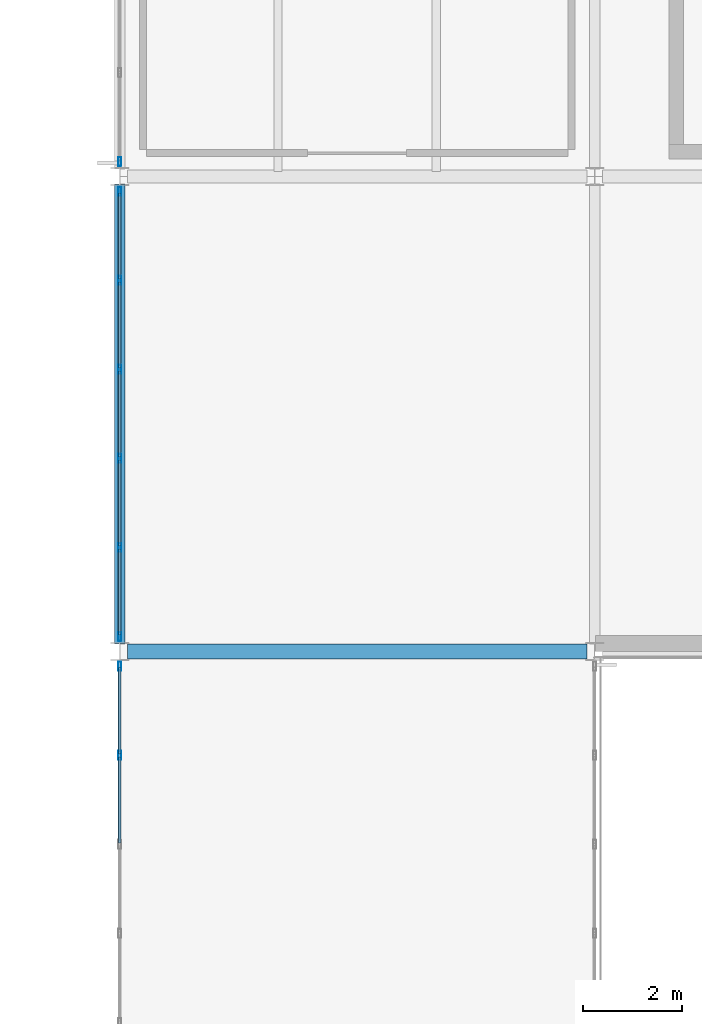
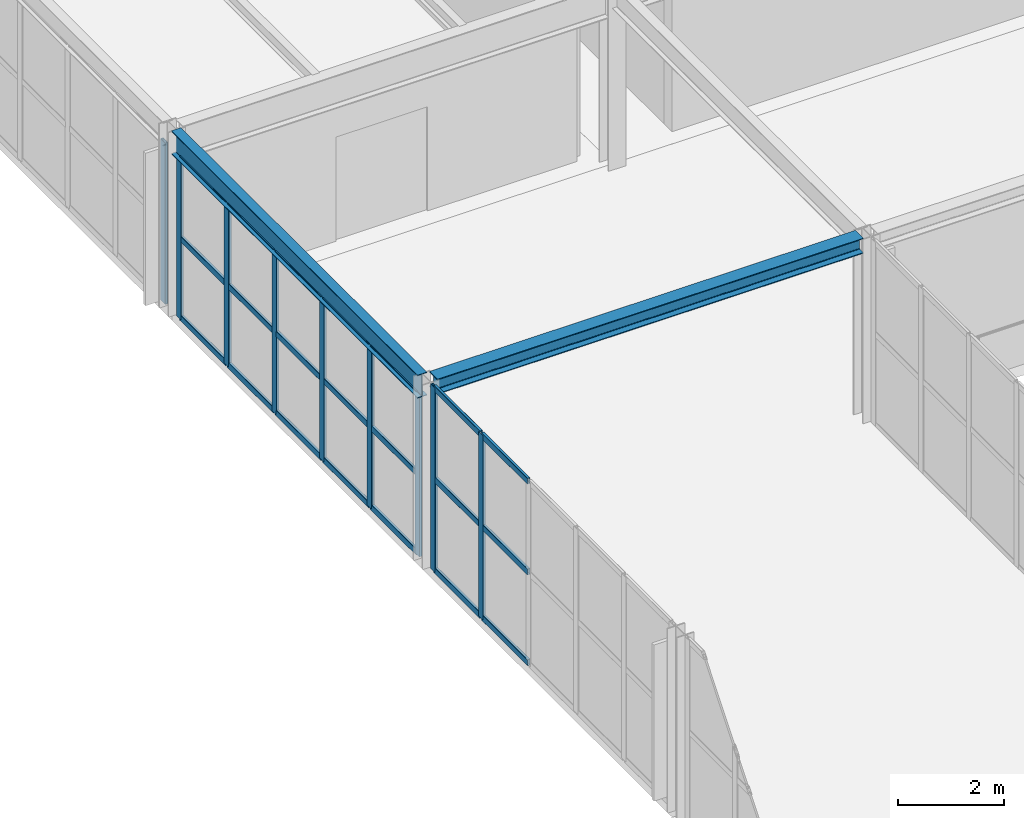
# One storey, part 81 of 170: 30 members, 2 beams, 3 elements without a shape of their own.
"""IFC4 building model written with IfcOpenShell, lengths in metres."""

from ifc_helpers import new_model, si_unit, direction, frame, origin, origin_2d, place, context, subcontext, project, spatial, hollow_rectangle, i_section, extrude, material, material_profile, profile_set, type_object, element, aggregate, save


model = new_model("IFC4")

# Units and contexts
model_context = context("Model", 3, precision=1e-05, world=origin(), true_north=direction((0.0, 1.0)))
body_context = subcontext(model_context, "Body", "Model", "MODEL_VIEW")
ifc_project = project(units=[si_unit("LENGTHUNIT", "METRE"), si_unit("AREAUNIT", "SQUARE_METRE"), si_unit("VOLUMEUNIT", "CUBIC_METRE"), si_unit("PLANEANGLEUNIT", "RADIAN"), si_unit("MASSUNIT", "GRAM", prefix="KILO")], contexts=[model_context])

# Site, building, storey
site_placement = place(None, origin())
site = spatial("IfcSite", under=ifc_project, at=site_placement, CompositionType="ELEMENT")
building_placement = place(site_placement, origin())
building = spatial("IfcBuilding", under=site, at=building_placement, Name="Coralgate Yard Interchange", CompositionType="ELEMENT")
storey_placement = place(building_placement, frame((0.0, 0.0, 6.0)))
storey = spatial("IfcBuildingStorey", under=building, at=storey_placement, Name="L01", CompositionType="ELEMENT", Elevation=6.0)

# Beams
ifc_material_1 = material(Name="Structural steel S355J2", Category="steel")
ifc_material_profile_1 = material_profile(ifc_material_1, i_section(OverallWidth=0.209228515625, OverallDepth=0.533203125, WebThickness=0.010009765625, FlangeThickness=0.015625, FilletRadius=0.0126953125, at=origin_2d()), Name="UB 533x210x92")
ifc_profile_set_1 = profile_set([ifc_material_profile_1], Name="Structural steel S355J2")
beam_type_1 = type_object("IfcBeamType", Name="BM-SB-1", PredefinedType="BEAM", material=ifc_profile_set_1)
beam_1_placement = place(storey_placement, frame((38.39990234375, 67.35400390625, 3.9833984375), z_axis=(0.0, 1.0, 0.0), x_axis=(-1.0, 0.0, 0.0)))
element("IfcBeam", 1, at=beam_1_placement, inside=storey, type_object=beam_type_1, Name="L01 primary grid girder X4 Y7-8", PredefinedType="BEAM", context=body_context, shape_type="SweptSolid", body=[
    extrude(i_section(OverallWidth=0.209228515625, OverallDepth=0.533203125, WebThickness=0.010009765625, FlangeThickness=0.015625, FilletRadius=0.0126953125, at=origin_2d()), origin(), (0.0, 0.0, 1.0), 9.2919921875),
])
ifc_material_profile_2 = material_profile(ifc_material_1, i_section(OverallWidth=0.300048828125, OverallDepth=0.35009765625, WebThickness=0.010009765625, FlangeThickness=0.017578125, FilletRadius=0.027099609375, at=origin_2d()), Name="HEA 360")
ifc_profile_set_2 = profile_set([ifc_material_profile_2], Name="Structural steel S355J2")
beam_type_2 = type_object("IfcBeamType", Name="BM-SP-1", PredefinedType="SPANDREL", material=ifc_profile_set_2)
beam_2_placement = place(storey_placement, frame((38.556396484375, 67.199951171875, 4.074951171875), z_axis=(1.0, 0.0, 0.0), x_axis=(0.0, 1.0, 0.0)))
element("IfcBeam", 2, at=beam_2_placement, inside=storey, type_object=beam_type_2, Name="L01 primary grid beam Y7 X4-5", PredefinedType="SPANDREL", context=body_context, shape_type="SweptSolid", body=[
    extrude(i_section(OverallWidth=0.300048828125, OverallDepth=0.35009765625, WebThickness=0.010009765625, FlangeThickness=0.017578125, FilletRadius=0.027099609375, at=origin_2d()), origin(), (0.0, 0.0, 1.0), 9.287353515625),
])

# Curtain wall, members
ifc_material_2 = material(Name="Anodised coastal aluminium and solar-control low-E glass", Category="aluminium")
curtain_wall_type_1 = type_object("IfcCurtainWallType", Name="CW-CW-L01-A", PredefinedType="NOTDEFINED", material=ifc_material_2)
curtain_wall_1_placement = place(storey_placement, origin())
curtain_wall_1 = element("IfcCurtainWall", 3, at=curtain_wall_1_placement, inside=storey, type_object=curtain_wall_type_1, Name="L01 unitised curtain wall CW-L01-W-04-06", PredefinedType="NOTDEFINED")
ifc_material_3 = material(Name="Anodised coastal aluminium 6063-T6", Category="aluminium")
ifc_material_profile_3 = material_profile(ifc_material_3, hollow_rectangle(XDim=0.06005859375, YDim=0.179931640625, WallThickness=0.00390625, InnerFilletRadius=0.00390625, OuterFilletRadius=0.008056640625, at=origin_2d()), Name="ALU 60x180x4")
ifc_profile_set_3 = profile_set([ifc_material_profile_3], Name="Anodised coastal aluminium 6063-T6")
member_type_1 = type_object("IfcMemberType", Name="MB-MUL-180", PredefinedType="MULLION", material=ifc_profile_set_3)
member_1_placement = place(storey_placement, frame((38.39990234375, 65.10009765625, 0.0), z_axis=(0.0, 0.0, 1.0), x_axis=(1.0, 0.0, 0.0)))
member_1 = element("IfcMember", 4, at=member_1_placement, type_object=member_type_1, Name="CW-L01-W-04-06 vertical mullion 5", PredefinedType="MULLION", context=body_context, shape_type="SweptSolid", body=[
    extrude(hollow_rectangle(XDim=0.06005859375, YDim=0.179931640625, WallThickness=0.00390625, InnerFilletRadius=0.00390625, OuterFilletRadius=0.008056640625, at=origin_2d()), origin(), (0.0, 0.0, 1.0), 4.25),
])
member_2_placement = place(storey_placement, frame((38.39990234375, 66.89990234375, 0.0), z_axis=(0.0, 0.0, 1.0), x_axis=(1.0, 0.0, 0.0)))
member_2 = element("IfcMember", 5, at=member_2_placement, type_object=member_type_1, Name="CW-L01-W-04-06 vertical mullion 6", PredefinedType="MULLION", context=body_context, shape_type="SweptSolid", body=[
    extrude(hollow_rectangle(XDim=0.06005859375, YDim=0.179931640625, WallThickness=0.00390625, InnerFilletRadius=0.00390625, OuterFilletRadius=0.008056640625, at=origin_2d()), origin(), (0.0, 0.0, 1.0), 4.25),
])

curtain_wall_2_placement = place(storey_placement, origin())
curtain_wall_2 = element("IfcCurtainWall", 6, at=curtain_wall_2_placement, inside=storey, type_object=curtain_wall_type_1, Name="L01 unitised curtain wall CW-L01-W-04-07", PredefinedType="NOTDEFINED")
member_3_placement = place(storey_placement, frame((38.39990234375, 67.5, 0.0), z_axis=(0.0, 0.0, 1.0), x_axis=(1.0, 0.0, 0.0)))
member_3 = element("IfcMember", 7, at=member_3_placement, type_object=member_type_1, Name="CW-L01-W-04-07 vertical mullion 1", PredefinedType="MULLION", context=body_context, shape_type="SweptSolid", body=[
    extrude(hollow_rectangle(XDim=0.06005859375, YDim=0.179931640625, WallThickness=0.00390625, InnerFilletRadius=0.00390625, OuterFilletRadius=0.008056640625, at=origin_2d()), origin(), (0.0, 0.0, 1.0), 3.716796875),
])
member_4_placement = place(storey_placement, frame((38.39990234375, 69.300048828125, 0.0), z_axis=(0.0, 0.0, 1.0), x_axis=(1.0, 0.0, 0.0)))
member_4 = element("IfcMember", 8, at=member_4_placement, type_object=member_type_1, Name="CW-L01-W-04-07 vertical mullion 2", PredefinedType="MULLION", context=body_context, shape_type="SweptSolid", body=[
    extrude(hollow_rectangle(XDim=0.06005859375, YDim=0.179931640625, WallThickness=0.00390625, InnerFilletRadius=0.00390625, OuterFilletRadius=0.008056640625, at=origin_2d()), origin(), (0.0, 0.0, 1.0), 3.716796875),
])
member_5_placement = place(storey_placement, frame((38.39990234375, 71.10009765625, 0.0), z_axis=(0.0, 0.0, 1.0), x_axis=(1.0, 0.0, 0.0)))
member_5 = element("IfcMember", 9, at=member_5_placement, type_object=member_type_1, Name="CW-L01-W-04-07 vertical mullion 3", PredefinedType="MULLION", context=body_context, shape_type="SweptSolid", body=[
    extrude(hollow_rectangle(XDim=0.06005859375, YDim=0.179931640625, WallThickness=0.00390625, InnerFilletRadius=0.00390625, OuterFilletRadius=0.008056640625, at=origin_2d()), origin(), (0.0, 0.0, 1.0), 3.716796875),
])
member_6_placement = place(storey_placement, frame((38.39990234375, 72.89990234375, 0.0), z_axis=(0.0, 0.0, 1.0), x_axis=(1.0, 0.0, 0.0)))
member_6 = element("IfcMember", 10, at=member_6_placement, type_object=member_type_1, Name="CW-L01-W-04-07 vertical mullion 4", PredefinedType="MULLION", context=body_context, shape_type="SweptSolid", body=[
    extrude(hollow_rectangle(XDim=0.06005859375, YDim=0.179931640625, WallThickness=0.00390625, InnerFilletRadius=0.00390625, OuterFilletRadius=0.008056640625, at=origin_2d()), origin(), (0.0, 0.0, 1.0), 3.716796875),
])
member_7_placement = place(storey_placement, frame((38.39990234375, 74.699951171875, 0.0), z_axis=(0.0, 0.0, 1.0), x_axis=(1.0, 0.0, 0.0)))
member_7 = element("IfcMember", 11, at=member_7_placement, type_object=member_type_1, Name="CW-L01-W-04-07 vertical mullion 5", PredefinedType="MULLION", context=body_context, shape_type="SweptSolid", body=[
    extrude(hollow_rectangle(XDim=0.06005859375, YDim=0.179931640625, WallThickness=0.00390625, InnerFilletRadius=0.00390625, OuterFilletRadius=0.008056640625, at=origin_2d()), origin(), (0.0, 0.0, 1.0), 3.716796875),
])
member_8_placement = place(storey_placement, frame((38.39990234375, 76.5, 0.0), z_axis=(0.0, 0.0, 1.0), x_axis=(1.0, 0.0, 0.0)))
member_8 = element("IfcMember", 12, at=member_8_placement, type_object=member_type_1, Name="CW-L01-W-04-07 vertical mullion 6", PredefinedType="MULLION", context=body_context, shape_type="SweptSolid", body=[
    extrude(hollow_rectangle(XDim=0.06005859375, YDim=0.179931640625, WallThickness=0.00390625, InnerFilletRadius=0.00390625, OuterFilletRadius=0.008056640625, at=origin_2d()), origin(), (0.0, 0.0, 1.0), 3.716796875),
])

# Curtain wall, member
curtain_wall_type_2 = type_object("IfcCurtainWallType", Name="CW-CW-L01-B", PredefinedType="NOTDEFINED", material=ifc_material_2)
curtain_wall_3_placement = place(storey_placement, origin())
curtain_wall_3 = element("IfcCurtainWall", 13, at=curtain_wall_3_placement, inside=storey, type_object=curtain_wall_type_2, Name="L01 unitised curtain wall CW-L01-W-04-08", PredefinedType="NOTDEFINED")
member_9_placement = place(storey_placement, frame((38.39990234375, 77.10009765625, 0.0), z_axis=(0.0, 0.0, 1.0), x_axis=(1.0, 0.0, 0.0)))
member_9 = element("IfcMember", 14, at=member_9_placement, type_object=member_type_1, Name="CW-L01-W-04-08 vertical mullion 1", PredefinedType="MULLION", context=body_context, shape_type="SweptSolid", body=[
    extrude(hollow_rectangle(XDim=0.06005859375, YDim=0.179931640625, WallThickness=0.00390625, InnerFilletRadius=0.00390625, OuterFilletRadius=0.008056640625, at=origin_2d()), origin(), (0.0, 0.0, 1.0), 3.716796875),
])
aggregate(curtain_wall_3, [member_9])

# Member
ifc_material_profile_4 = material_profile(ifc_material_3, hollow_rectangle(XDim=0.06005859375, YDim=0.139892578125, WallThickness=0.00341796875, InnerFilletRadius=0.00341796875, OuterFilletRadius=0.007080078125, at=origin_2d()), Name="ALU 60x140x3.5")
ifc_profile_set_4 = profile_set([ifc_material_profile_4], Name="Anodised coastal aluminium 6063-T6")
member_type_2 = type_object("IfcMemberType", Name="MB-TRN-140", PredefinedType="USERDEFINED", material=ifc_profile_set_4)
member_10_placement = place(storey_placement, frame((38.39990234375, 63.330078125, 0.034912109375), z_axis=(0.0, 1.0, 0.0), x_axis=(-1.0, 0.0, 0.0)))
member_10 = element("IfcMember", 15, at=member_10_placement, type_object=member_type_2, Name="CW-L01-W-04-06 horizontal transom 4-1", ObjectType="TRANSOM", PredefinedType="USERDEFINED", context=body_context, shape_type="SweptSolid", body=[
    extrude(hollow_rectangle(XDim=0.06005859375, YDim=0.139892578125, WallThickness=0.00341796875, InnerFilletRadius=0.00341796875, OuterFilletRadius=0.007080078125, at=origin_2d()), origin(), (0.0, 0.0, 1.0), 1.739990234375),
])

member_11_placement = place(storey_placement, frame((38.39990234375, 63.330078125, 2.125), z_axis=(0.0, 1.0, 0.0), x_axis=(-1.0, 0.0, 0.0)))
member_11 = element("IfcMember", 16, at=member_11_placement, type_object=member_type_2, Name="CW-L01-W-04-06 horizontal transom 4-2", ObjectType="TRANSOM", PredefinedType="USERDEFINED", context=body_context, shape_type="SweptSolid", body=[
    extrude(hollow_rectangle(XDim=0.06005859375, YDim=0.139892578125, WallThickness=0.00341796875, InnerFilletRadius=0.00341796875, OuterFilletRadius=0.007080078125, at=origin_2d()), origin(), (0.0, 0.0, 1.0), 1.739990234375),
])

member_12_placement = place(storey_placement, frame((38.39990234375, 63.330078125, 4.215087890625), z_axis=(0.0, 1.0, 0.0), x_axis=(-1.0, 0.0, 0.0)))
member_12 = element("IfcMember", 17, at=member_12_placement, type_object=member_type_2, Name="CW-L01-W-04-06 horizontal transom 4-3", ObjectType="TRANSOM", PredefinedType="USERDEFINED", context=body_context, shape_type="SweptSolid", body=[
    extrude(hollow_rectangle(XDim=0.06005859375, YDim=0.139892578125, WallThickness=0.00341796875, InnerFilletRadius=0.00341796875, OuterFilletRadius=0.007080078125, at=origin_2d()), origin(), (0.0, 0.0, 1.0), 1.739990234375),
])

member_13_placement = place(storey_placement, frame((38.39990234375, 65.1298828125, 0.034912109375), z_axis=(0.0, 1.0, 0.0), x_axis=(-1.0, 0.0, 0.0)))
member_13 = element("IfcMember", 18, at=member_13_placement, type_object=member_type_2, Name="CW-L01-W-04-06 horizontal transom 5-1", ObjectType="TRANSOM", PredefinedType="USERDEFINED", context=body_context, shape_type="SweptSolid", body=[
    extrude(hollow_rectangle(XDim=0.06005859375, YDim=0.139892578125, WallThickness=0.00341796875, InnerFilletRadius=0.00341796875, OuterFilletRadius=0.007080078125, at=origin_2d()), origin(), (0.0, 0.0, 1.0), 1.740234375),
])

member_14_placement = place(storey_placement, frame((38.39990234375, 65.1298828125, 2.125), z_axis=(0.0, 1.0, 0.0), x_axis=(-1.0, 0.0, 0.0)))
member_14 = element("IfcMember", 19, at=member_14_placement, type_object=member_type_2, Name="CW-L01-W-04-06 horizontal transom 5-2", ObjectType="TRANSOM", PredefinedType="USERDEFINED", context=body_context, shape_type="SweptSolid", body=[
    extrude(hollow_rectangle(XDim=0.06005859375, YDim=0.139892578125, WallThickness=0.00341796875, InnerFilletRadius=0.00341796875, OuterFilletRadius=0.007080078125, at=origin_2d()), origin(), (0.0, 0.0, 1.0), 1.740234375),
])

member_15_placement = place(storey_placement, frame((38.39990234375, 65.1298828125, 4.215087890625), z_axis=(0.0, 1.0, 0.0), x_axis=(-1.0, 0.0, 0.0)))
member_15 = element("IfcMember", 20, at=member_15_placement, type_object=member_type_2, Name="CW-L01-W-04-06 horizontal transom 5-3", ObjectType="TRANSOM", PredefinedType="USERDEFINED", context=body_context, shape_type="SweptSolid", body=[
    extrude(hollow_rectangle(XDim=0.06005859375, YDim=0.139892578125, WallThickness=0.00341796875, InnerFilletRadius=0.00341796875, OuterFilletRadius=0.007080078125, at=origin_2d()), origin(), (0.0, 0.0, 1.0), 1.740234375),
])

aggregate(curtain_wall_1, [member_1, member_2, member_10, member_11, member_12, member_13, member_14, member_15])

member_16_placement = place(storey_placement, frame((38.39990234375, 67.530029296875, 0.034912109375), z_axis=(0.0, 1.0, 0.0), x_axis=(-1.0, 0.0, 0.0)))
member_16 = element("IfcMember", 21, at=member_16_placement, type_object=member_type_2, Name="CW-L01-W-04-07 horizontal transom 1-1", ObjectType="TRANSOM", PredefinedType="USERDEFINED", context=body_context, shape_type="SweptSolid", body=[
    extrude(hollow_rectangle(XDim=0.06005859375, YDim=0.139892578125, WallThickness=0.00341796875, InnerFilletRadius=0.00341796875, OuterFilletRadius=0.007080078125, at=origin_2d()), origin(), (0.0, 0.0, 1.0), 1.739990234375),
])

member_17_placement = place(storey_placement, frame((38.39990234375, 67.530029296875, 1.8583984375), z_axis=(0.0, 1.0, 0.0), x_axis=(-1.0, 0.0, 0.0)))
member_17 = element("IfcMember", 22, at=member_17_placement, type_object=member_type_2, Name="CW-L01-W-04-07 horizontal transom 1-2", ObjectType="TRANSOM", PredefinedType="USERDEFINED", context=body_context, shape_type="SweptSolid", body=[
    extrude(hollow_rectangle(XDim=0.06005859375, YDim=0.139892578125, WallThickness=0.00341796875, InnerFilletRadius=0.00341796875, OuterFilletRadius=0.007080078125, at=origin_2d()), origin(), (0.0, 0.0, 1.0), 1.739990234375),
])

member_18_placement = place(storey_placement, frame((38.39990234375, 67.530029296875, 3.681884765625), z_axis=(0.0, 1.0, 0.0), x_axis=(-1.0, 0.0, 0.0)))
member_18 = element("IfcMember", 23, at=member_18_placement, type_object=member_type_2, Name="CW-L01-W-04-07 horizontal transom 1-3", ObjectType="TRANSOM", PredefinedType="USERDEFINED", context=body_context, shape_type="SweptSolid", body=[
    extrude(hollow_rectangle(XDim=0.06005859375, YDim=0.139892578125, WallThickness=0.00341796875, InnerFilletRadius=0.00341796875, OuterFilletRadius=0.007080078125, at=origin_2d()), origin(), (0.0, 0.0, 1.0), 1.739990234375),
])

member_19_placement = place(storey_placement, frame((38.39990234375, 69.330078125, 0.034912109375), z_axis=(0.0, 1.0, 0.0), x_axis=(-1.0, 0.0, 0.0)))
member_19 = element("IfcMember", 24, at=member_19_placement, type_object=member_type_2, Name="CW-L01-W-04-07 horizontal transom 2-1", ObjectType="TRANSOM", PredefinedType="USERDEFINED", context=body_context, shape_type="SweptSolid", body=[
    extrude(hollow_rectangle(XDim=0.06005859375, YDim=0.139892578125, WallThickness=0.00341796875, InnerFilletRadius=0.00341796875, OuterFilletRadius=0.007080078125, at=origin_2d()), origin(), (0.0, 0.0, 1.0), 1.739990234375),
])

member_20_placement = place(storey_placement, frame((38.39990234375, 69.330078125, 1.8583984375), z_axis=(0.0, 1.0, 0.0), x_axis=(-1.0, 0.0, 0.0)))
member_20 = element("IfcMember", 25, at=member_20_placement, type_object=member_type_2, Name="CW-L01-W-04-07 horizontal transom 2-2", ObjectType="TRANSOM", PredefinedType="USERDEFINED", context=body_context, shape_type="SweptSolid", body=[
    extrude(hollow_rectangle(XDim=0.06005859375, YDim=0.139892578125, WallThickness=0.00341796875, InnerFilletRadius=0.00341796875, OuterFilletRadius=0.007080078125, at=origin_2d()), origin(), (0.0, 0.0, 1.0), 1.739990234375),
])

member_21_placement = place(storey_placement, frame((38.39990234375, 69.330078125, 3.681884765625), z_axis=(0.0, 1.0, 0.0), x_axis=(-1.0, 0.0, 0.0)))
member_21 = element("IfcMember", 26, at=member_21_placement, type_object=member_type_2, Name="CW-L01-W-04-07 horizontal transom 2-3", ObjectType="TRANSOM", PredefinedType="USERDEFINED", context=body_context, shape_type="SweptSolid", body=[
    extrude(hollow_rectangle(XDim=0.06005859375, YDim=0.139892578125, WallThickness=0.00341796875, InnerFilletRadius=0.00341796875, OuterFilletRadius=0.007080078125, at=origin_2d()), origin(), (0.0, 0.0, 1.0), 1.739990234375),
])

member_22_placement = place(storey_placement, frame((38.39990234375, 71.1298828125, 0.034912109375), z_axis=(0.0, 1.0, 0.0), x_axis=(-1.0, 0.0, 0.0)))
member_22 = element("IfcMember", 27, at=member_22_placement, type_object=member_type_2, Name="CW-L01-W-04-07 horizontal transom 3-1", ObjectType="TRANSOM", PredefinedType="USERDEFINED", context=body_context, shape_type="SweptSolid", body=[
    extrude(hollow_rectangle(XDim=0.06005859375, YDim=0.139892578125, WallThickness=0.00341796875, InnerFilletRadius=0.00341796875, OuterFilletRadius=0.007080078125, at=origin_2d()), origin(), (0.0, 0.0, 1.0), 1.740234375),
])

member_23_placement = place(storey_placement, frame((38.39990234375, 71.1298828125, 1.8583984375), z_axis=(0.0, 1.0, 0.0), x_axis=(-1.0, 0.0, 0.0)))
member_23 = element("IfcMember", 28, at=member_23_placement, type_object=member_type_2, Name="CW-L01-W-04-07 horizontal transom 3-2", ObjectType="TRANSOM", PredefinedType="USERDEFINED", context=body_context, shape_type="SweptSolid", body=[
    extrude(hollow_rectangle(XDim=0.06005859375, YDim=0.139892578125, WallThickness=0.00341796875, InnerFilletRadius=0.00341796875, OuterFilletRadius=0.007080078125, at=origin_2d()), origin(), (0.0, 0.0, 1.0), 1.740234375),
])

member_24_placement = place(storey_placement, frame((38.39990234375, 71.1298828125, 3.681884765625), z_axis=(0.0, 1.0, 0.0), x_axis=(-1.0, 0.0, 0.0)))
member_24 = element("IfcMember", 29, at=member_24_placement, type_object=member_type_2, Name="CW-L01-W-04-07 horizontal transom 3-3", ObjectType="TRANSOM", PredefinedType="USERDEFINED", context=body_context, shape_type="SweptSolid", body=[
    extrude(hollow_rectangle(XDim=0.06005859375, YDim=0.139892578125, WallThickness=0.00341796875, InnerFilletRadius=0.00341796875, OuterFilletRadius=0.007080078125, at=origin_2d()), origin(), (0.0, 0.0, 1.0), 1.740234375),
])

member_25_placement = place(storey_placement, frame((38.39990234375, 72.929931640625, 0.034912109375), z_axis=(0.0, 1.0, 0.0), x_axis=(-1.0, 0.0, 0.0)))
member_25 = element("IfcMember", 30, at=member_25_placement, type_object=member_type_2, Name="CW-L01-W-04-07 horizontal transom 4-1", ObjectType="TRANSOM", PredefinedType="USERDEFINED", context=body_context, shape_type="SweptSolid", body=[
    extrude(hollow_rectangle(XDim=0.06005859375, YDim=0.139892578125, WallThickness=0.00341796875, InnerFilletRadius=0.00341796875, OuterFilletRadius=0.007080078125, at=origin_2d()), origin(), (0.0, 0.0, 1.0), 1.739990234375),
])

member_26_placement = place(storey_placement, frame((38.39990234375, 72.929931640625, 1.8583984375), z_axis=(0.0, 1.0, 0.0), x_axis=(-1.0, 0.0, 0.0)))
member_26 = element("IfcMember", 31, at=member_26_placement, type_object=member_type_2, Name="CW-L01-W-04-07 horizontal transom 4-2", ObjectType="TRANSOM", PredefinedType="USERDEFINED", context=body_context, shape_type="SweptSolid", body=[
    extrude(hollow_rectangle(XDim=0.06005859375, YDim=0.139892578125, WallThickness=0.00341796875, InnerFilletRadius=0.00341796875, OuterFilletRadius=0.007080078125, at=origin_2d()), origin(), (0.0, 0.0, 1.0), 1.739990234375),
])

member_27_placement = place(storey_placement, frame((38.39990234375, 72.929931640625, 3.681884765625), z_axis=(0.0, 1.0, 0.0), x_axis=(-1.0, 0.0, 0.0)))
member_27 = element("IfcMember", 32, at=member_27_placement, type_object=member_type_2, Name="CW-L01-W-04-07 horizontal transom 4-3", ObjectType="TRANSOM", PredefinedType="USERDEFINED", context=body_context, shape_type="SweptSolid", body=[
    extrude(hollow_rectangle(XDim=0.06005859375, YDim=0.139892578125, WallThickness=0.00341796875, InnerFilletRadius=0.00341796875, OuterFilletRadius=0.007080078125, at=origin_2d()), origin(), (0.0, 0.0, 1.0), 1.739990234375),
])

member_28_placement = place(storey_placement, frame((38.39990234375, 74.72998046875, 0.034912109375), z_axis=(0.0, 1.0, 0.0), x_axis=(-1.0, 0.0, 0.0)))
member_28 = element("IfcMember", 33, at=member_28_placement, type_object=member_type_2, Name="CW-L01-W-04-07 horizontal transom 5-1", ObjectType="TRANSOM", PredefinedType="USERDEFINED", context=body_context, shape_type="SweptSolid", body=[
    extrude(hollow_rectangle(XDim=0.06005859375, YDim=0.139892578125, WallThickness=0.00341796875, InnerFilletRadius=0.00341796875, OuterFilletRadius=0.007080078125, at=origin_2d()), origin(), (0.0, 0.0, 1.0), 1.739990234375),
])

member_29_placement = place(storey_placement, frame((38.39990234375, 74.72998046875, 1.8583984375), z_axis=(0.0, 1.0, 0.0), x_axis=(-1.0, 0.0, 0.0)))
member_29 = element("IfcMember", 34, at=member_29_placement, type_object=member_type_2, Name="CW-L01-W-04-07 horizontal transom 5-2", ObjectType="TRANSOM", PredefinedType="USERDEFINED", context=body_context, shape_type="SweptSolid", body=[
    extrude(hollow_rectangle(XDim=0.06005859375, YDim=0.139892578125, WallThickness=0.00341796875, InnerFilletRadius=0.00341796875, OuterFilletRadius=0.007080078125, at=origin_2d()), origin(), (0.0, 0.0, 1.0), 1.739990234375),
])

member_30_placement = place(storey_placement, frame((38.39990234375, 74.72998046875, 3.681884765625), z_axis=(0.0, 1.0, 0.0), x_axis=(-1.0, 0.0, 0.0)))
member_30 = element("IfcMember", 35, at=member_30_placement, type_object=member_type_2, Name="CW-L01-W-04-07 horizontal transom 5-3", ObjectType="TRANSOM", PredefinedType="USERDEFINED", context=body_context, shape_type="SweptSolid", body=[
    extrude(hollow_rectangle(XDim=0.06005859375, YDim=0.139892578125, WallThickness=0.00341796875, InnerFilletRadius=0.00341796875, OuterFilletRadius=0.007080078125, at=origin_2d()), origin(), (0.0, 0.0, 1.0), 1.739990234375),
])

aggregate(curtain_wall_2, [member_3, member_4, member_5, member_6, member_7, member_8, member_16, member_17, member_18, member_19, member_20, member_21, member_22, member_23, member_24, member_25, member_26, member_27, member_28, member_29, member_30])

save(model, "model.ifc")
